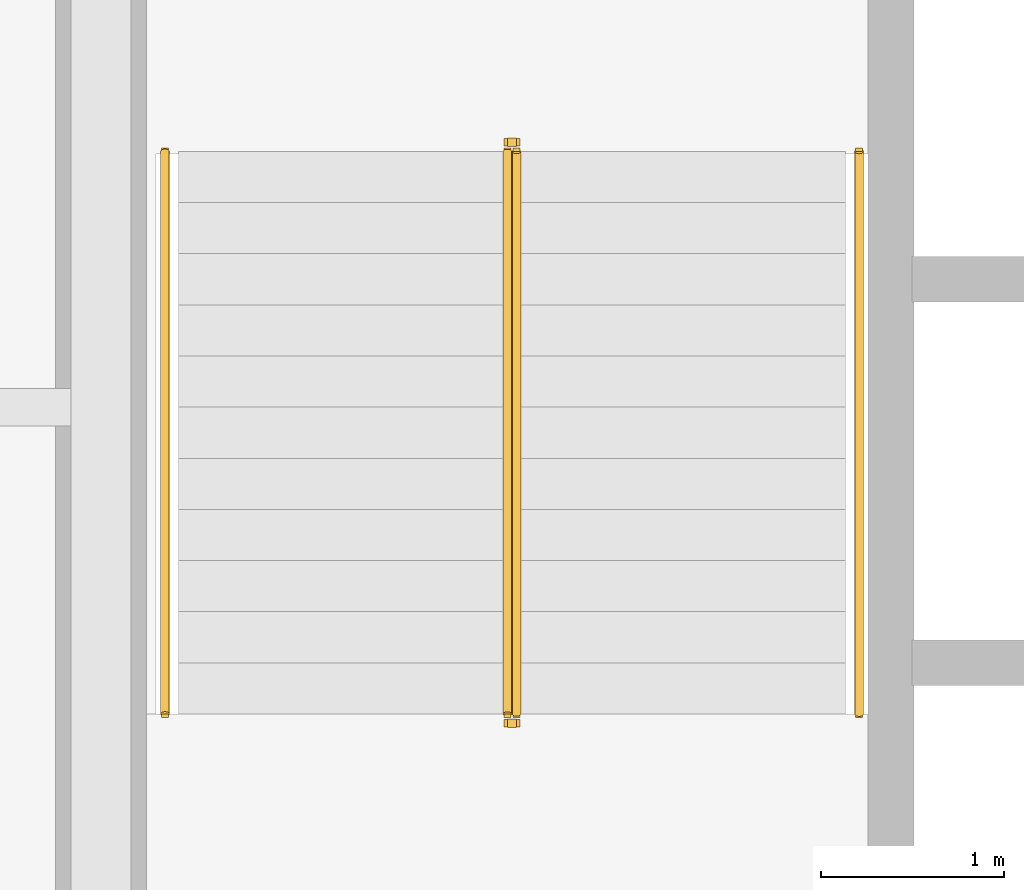
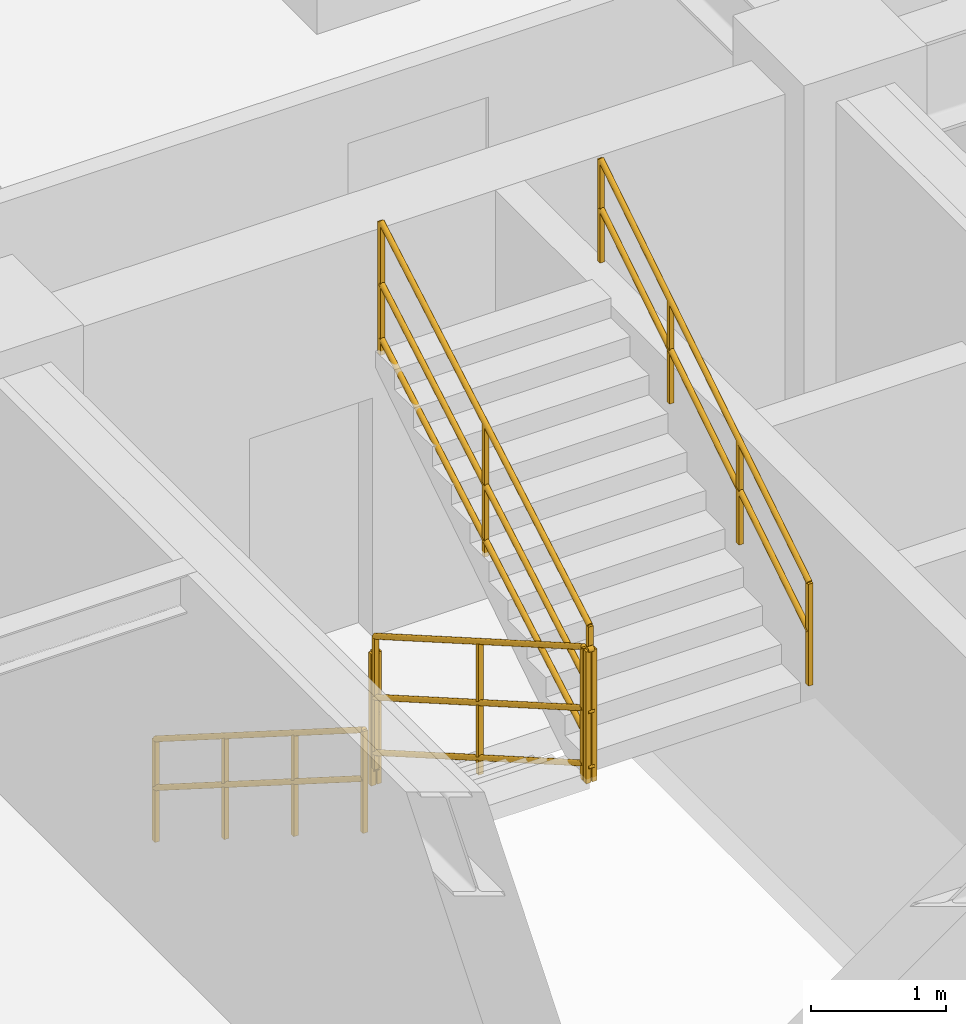
# One storey, part 10 of 10: 6 railings.
"""IFC4 building model written with IfcOpenShell, lengths in metres."""

from ifc_helpers import new_model, entity, si_unit, converted_unit, direction, frame, origin_with_axes, origin_2d_with_axis, place, context, subcontext, project, spatial, rectangle, circle, extrude, material, type_object, element, save


model = new_model("IFC4")

# Units and contexts
model_context = context("Model", 3, precision=1e-05, world=origin_with_axes(), true_north=direction((0.0, 1.0)))
body_context = subcontext(model_context, "Body", "Model", "MODEL_VIEW")
ifc_project = project(units=[si_unit("LENGTHUNIT", "METRE"), si_unit("AREAUNIT", "SQUARE_METRE"), si_unit("VOLUMEUNIT", "CUBIC_METRE"), converted_unit("PLANEANGLEUNIT", "DEGREE", entity("IfcPlaneAngleMeasure", 0.017453292519943295), si_unit("PLANEANGLEUNIT", "RADIAN"), dimensions=[0, 0, 0, 0, 0, 0, 0]), si_unit("MASSUNIT", "GRAM", prefix="KILO"), si_unit("THERMODYNAMICTEMPERATUREUNIT", "KELVIN")], contexts=[model_context])

# Site, building, storey
site_placement = place(None, origin_with_axes())
site = spatial("IfcSite", under=ifc_project, at=site_placement, CompositionType="ELEMENT")
building_placement = place(site_placement, origin_with_axes())
building = spatial("IfcBuilding", under=site, at=building_placement, Name="Varnlund Millrace Tower", CompositionType="ELEMENT")
storey_placement = place(building_placement, frame((0.0, 0.0, 179.7), z_axis=(0.0, 0.0, 1.0), x_axis=(1.0, 0.0, 0.0)))
storey = spatial("IfcBuildingStorey", under=building, at=storey_placement, Name="L44", CompositionType="ELEMENT", Elevation=179.7)

# Railings
ifc_material_1 = material(Name="Painted steel stair well balustrade guard", Category="steel")
railing_type_1 = type_object("IfcRailingType", Name="Type-StairGuard-1150", PredefinedType="GUARDRAIL", material=ifc_material_1)
railing_1_placement = place(storey_placement, frame((0.0, 0.0, -179.7), z_axis=(0.0, 0.0, 1.0), x_axis=(1.0, 0.0, 0.0)))
element("IfcRailing", 1, at=railing_1_placement, inside=storey, type_object=railing_type_1, Name="Type-StairGuard-1150", PredefinedType="GUARDRAIL", context=body_context, shape_type="SweptSolid", body=[
    extrude(circle(Radius=0.024, at=origin_2d_with_axis()), frame((13.625, 35.9, 181.027273), z_axis=(0.0, -0.866696, 0.498836), x_axis=(1.0, 0.0, 0.0)), (0.0, 0.0, 1.0), 3.553725),
    extrude(circle(Radius=0.024, at=origin_2d_with_axis()), frame((13.625, 35.9, 179.977273), z_axis=(0.0, -0.866696, 0.498836), x_axis=(1.0, 0.0, 0.0)), (0.0, 0.0, 1.0), 3.553725),
    extrude(circle(Radius=0.024, at=origin_2d_with_axis()), frame((13.625, 35.9, 180.475273), z_axis=(0.0, -0.866696, 0.498836), x_axis=(1.0, 0.0, 0.0)), (0.0, 0.0, 1.0), 3.553725),
    extrude(rectangle(XDim=0.04, YDim=0.04, at=origin_2d_with_axis()), frame((13.625, 35.9, 179.837273), z_axis=(0.0, 0.0, 1.0), x_axis=(1.0, 0.0, 0.0)), (0.0, 0.0, 1.0), 1.19),
    extrude(rectangle(XDim=0.04, YDim=0.04, at=origin_2d_with_axis()), frame((13.625, 34.36, 180.723637), z_axis=(0.0, 0.0, 1.0), x_axis=(1.0, 0.0, 0.0)), (0.0, 0.0, 1.0), 1.19),
    extrude(rectangle(XDim=0.04, YDim=0.04, at=origin_2d_with_axis()), frame((13.625, 32.82, 181.61), z_axis=(0.0, 0.0, 1.0), x_axis=(1.0, 0.0, 0.0)), (0.0, 0.0, 1.0), 1.19),
])
railing_2_placement = place(storey_placement, frame((0.0, 0.0, -179.7), z_axis=(0.0, 0.0, 1.0), x_axis=(1.0, 0.0, 0.0)))
element("IfcRailing", 2, at=railing_2_placement, inside=storey, type_object=railing_type_1, Name="Type-StairGuard-1150", PredefinedType="GUARDRAIL", context=body_context, shape_type="SweptSolid", body=[
    extrude(circle(Radius=0.024, at=origin_2d_with_axis()), frame((13.675, 32.77, 182.8), z_axis=(-1.0, 0.0, 0.0), x_axis=(0.0, -1.0, 0.0)), (0.0, 0.0, 1.0), 0.05),
    extrude(circle(Radius=0.024, at=origin_2d_with_axis()), frame((13.675, 32.77, 181.75), z_axis=(-1.0, 0.0, 0.0), x_axis=(0.0, -1.0, 0.0)), (0.0, 0.0, 1.0), 0.05),
    extrude(circle(Radius=0.024, at=origin_2d_with_axis()), frame((13.675, 32.77, 182.248), z_axis=(-1.0, 0.0, 0.0), x_axis=(0.0, -1.0, 0.0)), (0.0, 0.0, 1.0), 0.05),
    extrude(rectangle(XDim=0.04, YDim=0.04, at=origin_2d_with_axis()), frame((13.675, 32.77, 181.61), z_axis=(0.0, 0.0, 1.0), x_axis=(1.0, 0.0, 0.0)), (0.0, 0.0, 1.0), 1.19),
    extrude(rectangle(XDim=0.04, YDim=0.04, at=origin_2d_with_axis()), frame((13.625, 32.77, 181.61), z_axis=(0.0, 0.0, 1.0), x_axis=(1.0, 0.0, 0.0)), (0.0, 0.0, 1.0), 1.19),
])
railing_3_placement = place(storey_placement, frame((0.0, 0.0, -179.7), z_axis=(0.0, 0.0, 1.0), x_axis=(1.0, 0.0, 0.0)))
element("IfcRailing", 3, at=railing_3_placement, inside=storey, type_object=railing_type_1, Name="Type-StairGuard-1150", PredefinedType="GUARDRAIL", context=body_context, shape_type="SweptSolid", body=[
    extrude(circle(Radius=0.024, at=origin_2d_with_axis()), frame((13.675, 32.82, 182.977273), z_axis=(0.0, 0.866696, 0.498836), x_axis=(-1.0, 0.0, 0.0)), (0.0, 0.0, 1.0), 3.553725),
    extrude(circle(Radius=0.024, at=origin_2d_with_axis()), frame((13.675, 32.82, 181.927273), z_axis=(0.0, 0.866696, 0.498836), x_axis=(-1.0, 0.0, 0.0)), (0.0, 0.0, 1.0), 3.553725),
    extrude(circle(Radius=0.024, at=origin_2d_with_axis()), frame((13.675, 32.82, 182.425273), z_axis=(0.0, 0.866696, 0.498836), x_axis=(-1.0, 0.0, 0.0)), (0.0, 0.0, 1.0), 3.553725),
    extrude(rectangle(XDim=0.04, YDim=0.04, at=origin_2d_with_axis()), frame((13.675, 32.82, 181.787273), z_axis=(0.0, 0.0, 1.0), x_axis=(1.0, 0.0, 0.0)), (0.0, 0.0, 1.0), 1.19),
    extrude(rectangle(XDim=0.04, YDim=0.04, at=origin_2d_with_axis()), frame((13.675, 34.36, 182.673637), z_axis=(0.0, 0.0, 1.0), x_axis=(1.0, 0.0, 0.0)), (0.0, 0.0, 1.0), 1.19),
    extrude(rectangle(XDim=0.04, YDim=0.04, at=origin_2d_with_axis()), frame((13.675, 35.9, 183.56), z_axis=(0.0, 0.0, 1.0), x_axis=(1.0, 0.0, 0.0)), (0.0, 0.0, 1.0), 1.19),
])
railing_4_placement = place(storey_placement, frame((0.0, 0.0, -179.7), z_axis=(0.0, 0.0, 1.0), x_axis=(1.0, 0.0, 0.0)))
element("IfcRailing", 4, at=railing_4_placement, inside=storey, type_object=railing_type_1, Name="Type-StairGuard-1150", PredefinedType="GUARDRAIL", context=body_context, shape_type="SweptSolid", body=[
    extrude(circle(Radius=0.024, at=origin_2d_with_axis()), frame((13.675, 35.95, 180.85), z_axis=(-1.0, 0.0, 0.0), x_axis=(0.0, -1.0, 0.0)), (0.0, 0.0, 1.0), 0.05),
    extrude(circle(Radius=0.024, at=origin_2d_with_axis()), frame((13.675, 35.95, 179.8), z_axis=(-1.0, 0.0, 0.0), x_axis=(0.0, -1.0, 0.0)), (0.0, 0.0, 1.0), 0.05),
    extrude(circle(Radius=0.024, at=origin_2d_with_axis()), frame((13.675, 35.95, 180.298), z_axis=(-1.0, 0.0, 0.0), x_axis=(0.0, -1.0, 0.0)), (0.0, 0.0, 1.0), 0.05),
    extrude(rectangle(XDim=0.04, YDim=0.04, at=origin_2d_with_axis()), frame((13.675, 35.95, 179.66), z_axis=(0.0, 0.0, 1.0), x_axis=(1.0, 0.0, 0.0)), (0.0, 0.0, 1.0), 1.19),
    extrude(rectangle(XDim=0.04, YDim=0.04, at=origin_2d_with_axis()), frame((13.625, 35.95, 179.66), z_axis=(0.0, 0.0, 1.0), x_axis=(1.0, 0.0, 0.0)), (0.0, 0.0, 1.0), 1.19),
])
ifc_material_2 = material(Name="Brushed architectural bronze stair handrail", Category="aluminium")
railing_type_2 = type_object("IfcRailingType", Name="Type-StairHandrail-900", PredefinedType="HANDRAIL", material=ifc_material_2)
railing_5_placement = place(storey_placement, frame((0.0, 0.0, -179.7), z_axis=(0.0, 0.0, 1.0), x_axis=(1.0, 0.0, 0.0)))
element("IfcRailing", 5, at=railing_5_placement, inside=storey, type_object=railing_type_2, Name="Type-StairHandrail-900", PredefinedType="HANDRAIL", context=body_context, shape_type="SweptSolid", body=[
    extrude(circle(Radius=0.024, at=origin_2d_with_axis()), frame((11.75, 35.9, 180.756995), z_axis=(0.0, -0.844902, 0.534922), x_axis=(1.0, 0.0, 0.0)), (0.0, 0.0, 1.0), 3.645394),
    extrude(circle(Radius=0.024, at=origin_2d_with_axis()), frame((11.75, 35.9, 180.317134), z_axis=(0.0, -0.844902, 0.534922), x_axis=(1.0, 0.0, 0.0)), (0.0, 0.0, 1.0), 3.645394),
    extrude(rectangle(XDim=0.04, YDim=0.04, at=origin_2d_with_axis()), frame((11.75, 35.9, 179.837273), z_axis=(0.0, 0.0, 1.0), x_axis=(1.0, 0.0, 0.0)), (0.0, 0.0, 1.0), 0.919722),
    extrude(rectangle(XDim=0.04, YDim=0.04, at=origin_2d_with_axis()), frame((11.75, 34.873333, 180.487273), z_axis=(0.0, 0.0, 1.0), x_axis=(1.0, 0.0, 0.0)), (0.0, 0.0, 1.0), 0.919722),
    extrude(rectangle(XDim=0.04, YDim=0.04, at=origin_2d_with_axis()), frame((11.75, 33.846667, 181.137273), z_axis=(0.0, 0.0, 1.0), x_axis=(1.0, 0.0, 0.0)), (0.0, 0.0, 1.0), 0.919722),
    extrude(rectangle(XDim=0.04, YDim=0.04, at=origin_2d_with_axis()), frame((11.75, 32.82, 181.787273), z_axis=(0.0, 0.0, 1.0), x_axis=(1.0, 0.0, 0.0)), (0.0, 0.0, 1.0), 0.919722),
])
railing_6_placement = place(storey_placement, frame((0.0, 0.0, -179.7), z_axis=(0.0, 0.0, 1.0), x_axis=(1.0, 0.0, 0.0)))
element("IfcRailing", 6, at=railing_6_placement, inside=storey, type_object=railing_type_2, Name="Type-StairHandrail-900", PredefinedType="HANDRAIL", context=body_context, shape_type="SweptSolid", body=[
    extrude(circle(Radius=0.024, at=origin_2d_with_axis()), frame((15.55, 32.82, 182.706995), z_axis=(0.0, 0.844902, 0.534922), x_axis=(-1.0, 0.0, 0.0)), (0.0, 0.0, 1.0), 3.645394),
    extrude(circle(Radius=0.024, at=origin_2d_with_axis()), frame((15.55, 32.82, 182.267134), z_axis=(0.0, 0.844902, 0.534922), x_axis=(-1.0, 0.0, 0.0)), (0.0, 0.0, 1.0), 3.645394),
    extrude(rectangle(XDim=0.04, YDim=0.04, at=origin_2d_with_axis()), frame((15.55, 32.82, 181.787273), z_axis=(0.0, 0.0, 1.0), x_axis=(1.0, 0.0, 0.0)), (0.0, 0.0, 1.0), 0.919722),
    extrude(rectangle(XDim=0.04, YDim=0.04, at=origin_2d_with_axis()), frame((15.55, 33.846667, 182.437273), z_axis=(0.0, 0.0, 1.0), x_axis=(1.0, 0.0, 0.0)), (0.0, 0.0, 1.0), 0.919722),
    extrude(rectangle(XDim=0.04, YDim=0.04, at=origin_2d_with_axis()), frame((15.55, 34.873333, 183.087273), z_axis=(0.0, 0.0, 1.0), x_axis=(1.0, 0.0, 0.0)), (0.0, 0.0, 1.0), 0.919722),
    extrude(rectangle(XDim=0.04, YDim=0.04, at=origin_2d_with_axis()), frame((15.55, 35.9, 183.737273), z_axis=(0.0, 0.0, 1.0), x_axis=(1.0, 0.0, 0.0)), (0.0, 0.0, 1.0), 0.919722),
])

save(model, "model.ifc")
